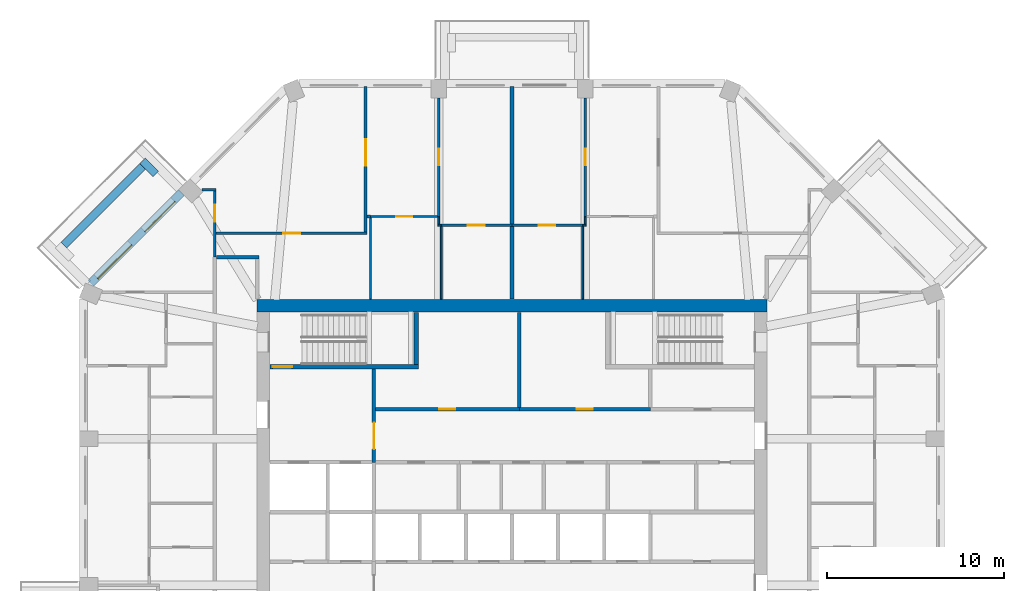
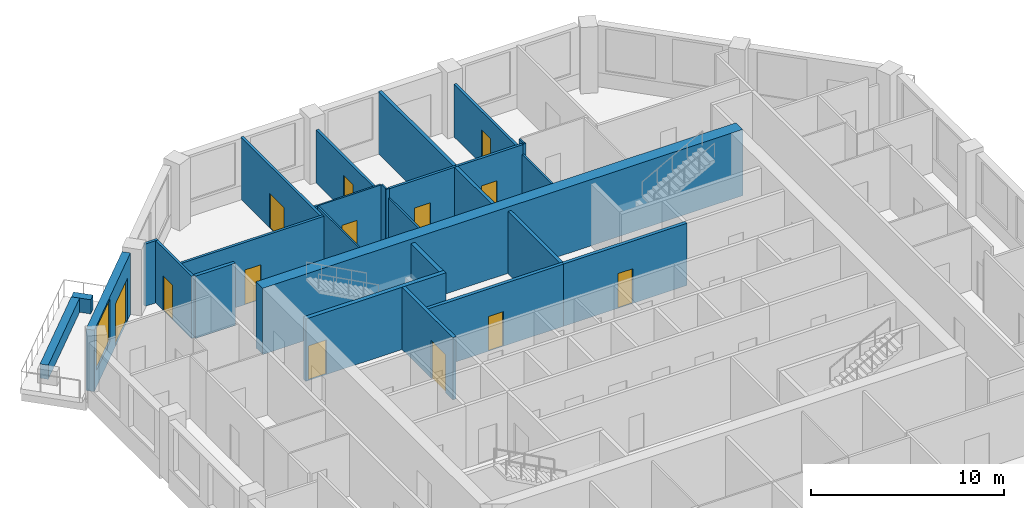
# One storey, part 7 of 10: 29 walls, 13 doors, 1 window, 14 openings.
"""IFC4 building model written with IfcOpenShell, lengths in metres."""

from ifc_helpers import new_model, si_unit, direction, frame, frame_2d, origin, place, context, subcontext, project, spatial, rectangle, extrude, material, layer, layer_set, type_object, element, fill, save


model = new_model("IFC4")

# Units and contexts
model_context = context("Model", 3, precision=1e-05, world=origin(), true_north=direction((0.0, 1.0)))
body_context = subcontext(model_context, "Body", "Model", "MODEL_VIEW")
ifc_project = project(units=[si_unit("LENGTHUNIT", "METRE"), si_unit("AREAUNIT", "SQUARE_METRE"), si_unit("VOLUMEUNIT", "CUBIC_METRE"), si_unit("PLANEANGLEUNIT", "RADIAN"), si_unit("MASSUNIT", "GRAM", prefix="KILO")], contexts=[model_context])

# Site, building, storey
site_placement = place(None, origin())
site = spatial("IfcSite", under=ifc_project, at=site_placement, CompositionType="ELEMENT")
building_placement = place(site_placement, origin())
building = spatial("IfcBuilding", under=site, at=building_placement, Name="Msitu Wima Residences", CompositionType="ELEMENT")
storey_placement = place(building_placement, frame((0.0, 0.0, 195.89990234375)))
storey = spatial("IfcBuildingStorey", under=building, at=storey_placement, Name="L45", CompositionType="ELEMENT", Elevation=195.89990234375)

# Walls
ifc_material_1 = material(Name="Facing brick")
ifc_layer_1 = layer(ifc_material_1, 0.06494140625, Name="Facing brick")
ifc_material_2 = material(Name="Concrete C40/50", Category="concrete")
ifc_layer_2 = layer(ifc_material_2, 0.156005859375, Name="Concrete C40/50")
ifc_material_3 = material(Name="Waterproofing membrane")
ifc_layer_3 = layer(ifc_material_3, 0.00390625, Name="Waterproofing membrane")
ifc_material_4 = material(Name="Planting soil and planting")
ifc_layer_4 = layer(ifc_material_4, 0.22509765625, Name="Planting soil and planting")
ifc_layer_set_1 = layer_set([ifc_layer_1, ifc_layer_2, ifc_layer_3, ifc_layer_4], Name="Concrete C40/50")
wall_type_1 = type_object("IfcWallType", Name="Balcony planter PLANTER PL450", PredefinedType="USERDEFINED", material=ifc_layer_set_1)
wall_1_placement = place(storey_placement, frame((-20.875244140625, 19.53173828125, 0.0), z_axis=(0.0, 0.0, 1.0), x_axis=(-0.707106781187, -0.707106781187, 0.0)))
element("IfcWall", 1, at=wall_1_placement, inside=storey, type_object=wall_type_1, Name="Balcony planter NW1 L45", ObjectType="PLANTER", PredefinedType="USERDEFINED", context=body_context, shape_type="SweptSolid", body=[
    extrude(rectangle(XDim=6.294189453125, YDim=0.449951171875, at=frame_2d((3.14697265625, 0.0))), origin(), (0.0, 0.0, 1.0), 0.900146484375),
])
wall_2_placement = place(storey_placement, frame((-20.1328125, 19.107421875, 0.0), z_axis=(0.0, 0.0, 1.0), x_axis=(-0.707106781187, 0.707106781187, 0.0)))
element("IfcWall", 2, at=wall_2_placement, inside=storey, type_object=wall_type_1, Name="Balcony planter NW1 L45", ObjectType="PLANTER", PredefinedType="USERDEFINED", context=body_context, shape_type="SweptSolid", body=[
    extrude(rectangle(XDim=1.050048828125, YDim=0.449951171875, at=frame_2d((0.52490234375, 0.0))), origin(), (0.0, 0.0, 1.0), 0.900146484375),
])

# Wall, openings, door, window
ifc_material_5 = material(Name="Brick (red buff mix)", Category="masonry")
ifc_layer_5 = layer(ifc_material_5, 0.449951171875)
ifc_layer_set_2 = layer_set([ifc_layer_5], Name="Brick (red buff mix)")
wall_type_2 = type_object("IfcWallType", Name="Brick infill wall BW450", PredefinedType="SOLIDWALL", material=ifc_layer_set_2)
wall_3_placement = place(storey_placement, frame((-18.68310546875, 18.046875, 0.0), z_axis=(0.0, 0.0, 1.0), x_axis=(-0.707106781187, -0.707106781187, 0.0)))
wall_3 = element("IfcWall", 3, at=wall_3_placement, inside=storey, type_object=wall_type_2, Name="Brick infill wall L45 NW1", PredefinedType="SOLIDWALL", context=body_context, shape_type="SweptSolid", body=[
    extrude(rectangle(XDim=7.257080078125, YDim=0.449951171875, at=frame_2d((3.62841796875, 0.0))), origin(), (0.0, 0.0, 1.0), 3.900146484375),
])
opening_1_placement = place(wall_3_placement, frame((0.6142578125, 0.0, 0.0)))
opening_1 = element("IfcOpeningElement", 4, at=opening_1_placement, cuts=wall_3, Name="Opening D43-45.004", PredefinedType="OPENING", context=body_context, shape_type="SweptSolid", body=[
    extrude(rectangle(XDim=2.39990234375, YDim=2.699951171875, at=frame_2d((1.199951171875, 1.35009765625))), frame((0.0, 0.23486328125, 0.0), z_axis=(0.0, -1.0, 0.0), x_axis=(1.0, 0.0, 0.0)), (0.0, 0.0, 1.0), 0.469970703125),
])
opening_2_placement = place(wall_3_placement, frame((4.07861328125, 0.0, 1.050048828125)))
opening_2 = element("IfcOpeningElement", 5, at=opening_2_placement, cuts=wall_3, Name="Opening W43-45.016", PredefinedType="OPENING", context=body_context, shape_type="SweptSolid", body=[
    extrude(rectangle(XDim=2.699951171875, YDim=2.699951171875, at=frame_2d((1.35009765625, 1.35009765625))), frame((0.0, 0.23486328125, 0.0), z_axis=(0.0, -1.0, 0.0), x_axis=(1.0, 0.0, 0.0)), (0.0, 0.0, 1.0), 0.469970703125),
])
ifc_material_6 = material(Name="Anodised aluminium, bronze finish, clear low-emissivity double glazing", Category="aluminium")
door_type_1 = type_object("IfcDoorType", Name="Balcony door D2400x2700", OperationType="SLIDING_TO_LEFT", PredefinedType="DOOR", material=ifc_material_6)
door_1_placement = place(opening_1_placement, origin())
door_1 = element("IfcDoor", 6, at=door_1_placement, inside=storey, type_object=door_type_1, Name="Balcony door L45 NW1", OperationType="SINGLE_SWING_LEFT", OverallHeight=2.699951171875, OverallWidth=2.39990234375, PredefinedType="DOOR", context=body_context, shape_type="SweptSolid", body=[
    extrude(rectangle(XDim=2.39990234375, YDim=2.699951171875, at=frame_2d((1.199951171875, 1.35009765625))), frame((0.0, 0.1298828125, 0.0), z_axis=(0.0, -1.0, 0.0), x_axis=(1.0, 0.0, 0.0)), (0.0, 0.0, 1.0), 0.050048828125),
])
fill(opening_1, door_1)
window_type = type_object("IfcWindowType", Name="Window W2700x2700", PartitioningType="DOUBLE_PANEL_VERTICAL", PredefinedType="WINDOW", material=ifc_material_6)
window_placement = place(opening_2_placement, origin())
window = element("IfcWindow", 7, at=window_placement, inside=storey, type_object=window_type, Name="Window L45 NW1.2", OverallHeight=2.699951171875, OverallWidth=2.699951171875, PartitioningType="SINGLE_PANEL", PredefinedType="WINDOW", context=body_context, shape_type="SweptSolid", body=[
    extrude(rectangle(XDim=2.699951171875, YDim=2.699951171875, at=frame_2d((1.35009765625, 1.35009765625))), frame((0.0, 0.135009765625, 0.0), z_axis=(0.0, -1.0, 0.0), x_axis=(1.0, 0.0, 0.0)), (0.0, 0.0, 1.0), 0.06005859375),
])
fill(opening_2, window)

# Walls
ifc_material_7 = material(Name="Concrete C60/75", Category="concrete")
ifc_layer_6 = layer(ifc_material_7, 0.699951171875)
ifc_layer_set_3 = layer_set([ifc_layer_6], Name="Concrete C60/75")
wall_type_3 = type_object("IfcWallType", Name="Core wall CW700 C60/75", PredefinedType="SHEAR", material=ifc_layer_set_3)
wall_4_placement = place(storey_placement, frame((-14.39990234375, 11.64990234375, 0.0), z_axis=(0.0, 0.0, 1.0), x_axis=(1.0, 0.0, 0.0)))
element("IfcWall", 8, at=wall_4_placement, inside=storey, type_object=wall_type_3, Name="Core wall", PredefinedType="SHEAR", context=body_context, shape_type="SweptSolid", body=[
    extrude(rectangle(XDim=28.7998046875, YDim=0.699951171875, at=frame_2d((14.39990234375, 0.0))), origin(), (0.0, 0.0, 1.0), 4.2001953125),
])
ifc_material_8 = material(Name="Plaster")
ifc_layer_7 = layer(ifc_material_8, 0.011962890625, Name="Plaster")
ifc_material_9 = material(Name="Concrete blockwork", Category="masonry")
ifc_layer_8 = layer(ifc_material_9, 0.176025390625, Name="Concrete blockwork")
ifc_layer_9 = layer(ifc_material_8, 0.011962890625, Name="Plaster")
ifc_layer_set_4 = layer_set([ifc_layer_7, ifc_layer_8, ifc_layer_9], Name="Concrete blockwork")
wall_type_4 = type_object("IfcWallType", Name="Corridor wall FW200", PredefinedType="PARTITIONING", material=ifc_layer_set_4)
wall_5_placement = place(storey_placement, frame((-16.699951171875, 14.39990234375, 0.0), z_axis=(0.0, 0.0, 1.0), x_axis=(1.0, 0.0, 0.0)))
element("IfcWall", 9, at=wall_5_placement, inside=storey, type_object=wall_type_4, Name="Corridor wall", PredefinedType="PARTITIONING", context=body_context, shape_type="SweptSolid", body=[
    extrude(rectangle(XDim=2.39990234375, YDim=0.199951171875, at=frame_2d((1.199951171875, 0.0))), origin(), (0.0, 0.0, 1.0), 3.9501953125),
])

# Wall, opening, door
wall_6_placement = place(storey_placement, frame((-7.800048828125, 2.800048828125, 0.0), z_axis=(0.0, 0.0, 1.0), x_axis=(0.0, 1.0, 0.0)))
wall_6 = element("IfcWall", 10, at=wall_6_placement, inside=storey, type_object=wall_type_4, Name="Corridor wall", PredefinedType="PARTITIONING", context=body_context, shape_type="SweptSolid", body=[
    extrude(rectangle(XDim=5.27490234375, YDim=0.199951171875, at=frame_2d((2.637451171875, 0.0))), origin(), (0.0, 0.0, 1.0), 3.9501953125),
])
opening_3_placement = place(wall_6_placement, frame((0.75, 0.0, 0.0)))
opening_3 = element("IfcOpeningElement", 11, at=opening_3_placement, cuts=wall_6, Name="Opening D43-45.052", PredefinedType="OPENING", context=body_context, shape_type="SweptSolid", body=[
    extrude(rectangle(XDim=1.5, YDim=2.39990234375, at=frame_2d((0.75, 1.199951171875))), frame((0.0, 0.10986328125, 0.0), z_axis=(0.0, -1.0, 0.0), x_axis=(1.0, 0.0, 0.0)), (0.0, 0.0, 1.0), 0.219970703125),
])
ifc_material_10 = material(Name="Steel framed glazed door, fire resisting", Category="steel")
door_type_2 = type_object("IfcDoorType", Name="Lobby door D07 1500x2400", OperationType="DOUBLE_DOOR_SINGLE_SWING", PredefinedType="DOOR", material=ifc_material_10)
door_2_placement = place(opening_3_placement, origin())
door_2 = element("IfcDoor", 12, at=door_2_placement, inside=storey, type_object=door_type_2, Name="Lobby door", OperationType="DOUBLE_DOOR_SINGLE_SWING", OverallHeight=2.39990234375, OverallWidth=1.5, PredefinedType="DOOR", context=body_context, shape_type="SweptSolid", body=[
    extrude(rectangle(XDim=1.5, YDim=2.39990234375, at=frame_2d((0.75, 1.199951171875))), frame((0.0, 0.02490234375, 0.0), z_axis=(0.0, -1.0, 0.0), x_axis=(1.0, 0.0, 0.0)), (0.0, 0.0, 1.0), 0.050048828125),
])
fill(opening_3, door_2)

wall_7_placement = place(storey_placement, frame((-7.699951171875, 5.800048828125, 0.0), z_axis=(0.0, 0.0, 1.0), x_axis=(1.0, 0.0, 0.0)))
wall_7 = element("IfcWall", 13, at=wall_7_placement, inside=storey, type_object=wall_type_4, Name="Corridor wall", PredefinedType="PARTITIONING", context=body_context, shape_type="SweptSolid", body=[
    extrude(rectangle(XDim=8.119873046875, YDim=0.199951171875, at=frame_2d((4.06005859375, 0.0))), origin(), (0.0, 0.0, 1.0), 3.9501953125),
])
opening_4_placement = place(wall_7_placement, frame((3.60009765625, 0.0, 0.0)))
opening_4 = element("IfcOpeningElement", 14, at=opening_4_placement, cuts=wall_7, Name="Opening D43-45.055", PredefinedType="OPENING", context=body_context, shape_type="SweptSolid", body=[
    extrude(rectangle(XDim=0.89990234375, YDim=2.199951171875, at=frame_2d((0.449951171875, 1.10009765625))), frame((0.0, 0.10986328125, 0.0), z_axis=(0.0, -1.0, 0.0), x_axis=(1.0, 0.0, 0.0)), (0.0, 0.0, 1.0), 0.219970703125),
])
ifc_material_11 = material(Name="Timber flush door", Category="wood")
door_type_3 = type_object("IfcDoorType", Name="Service door D05 900x2200", OperationType="SINGLE_SWING_LEFT", PredefinedType="DOOR", material=ifc_material_11)
door_3_placement = place(opening_4_placement, origin())
door_3 = element("IfcDoor", 15, at=door_3_placement, inside=storey, type_object=door_type_3, Name="Service door", OperationType="SINGLE_SWING_LEFT", OverallHeight=2.199951171875, OverallWidth=0.89990234375, PredefinedType="DOOR", context=body_context, shape_type="SweptSolid", body=[
    extrude(rectangle(XDim=0.89990234375, YDim=2.199951171875, at=frame_2d((0.449951171875, 1.10009765625))), frame((0.0, 0.02490234375, 0.0), z_axis=(0.0, -1.0, 0.0), x_axis=(1.0, 0.0, 0.0)), (0.0, 0.0, 1.0), 0.050048828125),
])
fill(opening_4, door_3)

# Wall
ifc_layer_10 = layer(ifc_material_8, 0.011962890625, Name="Plaster")
ifc_layer_11 = layer(ifc_material_9, 0.1259765625, Name="Concrete blockwork")
ifc_layer_12 = layer(ifc_material_8, 0.011962890625, Name="Plaster")
ifc_layer_set_5 = layer_set([ifc_layer_10, ifc_layer_11, ifc_layer_12], Name="Concrete blockwork")
wall_type_5 = type_object("IfcWallType", Name="Partition PW150", PredefinedType="PARTITIONING", material=ifc_layer_set_5)
wall_8_placement = place(storey_placement, frame((-17.509521484375, 18.205810546875, 0.0), z_axis=(0.0, 0.0, 1.0), x_axis=(1.0, 0.0, 0.0)))
element("IfcWall", 16, at=wall_8_placement, inside=storey, type_object=wall_type_5, Name="Partition", PredefinedType="PARTITIONING", context=body_context, shape_type="SweptSolid", body=[
    extrude(rectangle(XDim=0.784423828125, YDim=0.14990234375, at=frame_2d((0.39208984375, 0.0))), origin(), (0.0, 0.0, 1.0), 3.9501953125),
])

# Wall, opening, door
wall_9_placement = place(storey_placement, frame((-16.800048828125, 14.39990234375, 0.0), z_axis=(0.0, 0.0, 1.0), x_axis=(0.0, 1.0, 0.0)))
wall_9 = element("IfcWall", 17, at=wall_9_placement, inside=storey, type_object=wall_type_5, Name="Partition", PredefinedType="PARTITIONING", context=body_context, shape_type="SweptSolid", body=[
    extrude(rectangle(XDim=3.73095703125, YDim=0.14990234375, at=frame_2d((1.865478515625, 0.0))), origin(), (0.0, 0.0, 1.0), 3.9501953125),
])
opening_5_placement = place(wall_9_placement, frame((2.0, 0.0, 0.0)))
opening_5 = element("IfcOpeningElement", 18, at=opening_5_placement, cuts=wall_9, Name="Opening D43-45.049", PredefinedType="OPENING", context=body_context, shape_type="SweptSolid", body=[
    extrude(rectangle(XDim=0.949951171875, YDim=2.199951171875, at=frame_2d((0.47509765625, 1.10009765625))), frame((0.0, 0.0849609375, 0.0), z_axis=(0.0, -1.0, 0.0), x_axis=(1.0, 0.0, 0.0)), (0.0, 0.0, 1.0), 0.169921875),
])
door_type_4 = type_object("IfcDoorType", Name="Room door D12 950x2200", OperationType="SINGLE_SWING_LEFT", PredefinedType="DOOR", material=ifc_material_11)
door_4_placement = place(opening_5_placement, origin())
door_4 = element("IfcDoor", 19, at=door_4_placement, inside=storey, type_object=door_type_4, Name="Room door", OperationType="SINGLE_SWING_RIGHT", OverallHeight=2.199951171875, OverallWidth=0.949951171875, PredefinedType="DOOR", context=body_context, shape_type="SweptSolid", body=[
    extrude(rectangle(XDim=0.949951171875, YDim=2.199951171875, at=frame_2d((0.47509765625, 1.10009765625))), frame((0.0, 0.02490234375, 0.0), z_axis=(0.0, -1.0, 0.0), x_axis=(1.0, 0.0, 0.0)), (0.0, 0.0, 1.0), 0.050048828125),
])
fill(opening_5, door_4)

wall_10_placement = place(storey_placement, frame((-16.72509765625, 15.75, 0.0), z_axis=(0.0, 0.0, 1.0), x_axis=(1.0, 0.0, 0.0)))
wall_10 = element("IfcWall", 20, at=wall_10_placement, inside=storey, type_object=wall_type_5, Name="Partition", PredefinedType="PARTITIONING", context=body_context, shape_type="SweptSolid", body=[
    extrude(rectangle(XDim=8.525634765625, YDim=0.14990234375, at=frame_2d((4.2626953125, 0.0))), origin(), (0.0, 0.0, 1.0), 3.9501953125),
])
opening_6_placement = place(wall_10_placement, frame((3.800048828125, 0.0, 0.0)))
opening_6 = element("IfcOpeningElement", 21, at=opening_6_placement, cuts=wall_10, Name="Opening D43-45.035", PredefinedType="OPENING", context=body_context, shape_type="SweptSolid", body=[
    extrude(rectangle(XDim=0.949951171875, YDim=2.199951171875, at=frame_2d((0.47509765625, 1.10009765625))), frame((0.0, 0.0849609375, 0.0), z_axis=(0.0, -1.0, 0.0), x_axis=(1.0, 0.0, 0.0)), (0.0, 0.0, 1.0), 0.169921875),
])
door_5_placement = place(opening_6_placement, origin())
door_5 = element("IfcDoor", 22, at=door_5_placement, inside=storey, type_object=door_type_4, Name="Room door", OperationType="SINGLE_SWING_RIGHT", OverallHeight=2.199951171875, OverallWidth=0.949951171875, PredefinedType="DOOR", context=body_context, shape_type="SweptSolid", body=[
    extrude(rectangle(XDim=0.949951171875, YDim=2.199951171875, at=frame_2d((0.47509765625, 1.10009765625))), frame((0.0, 0.02490234375, 0.0), z_axis=(0.0, -1.0, 0.0), x_axis=(1.0, 0.0, 0.0)), (0.0, 0.0, 1.0), 0.050048828125),
])
fill(opening_6, door_5)

wall_11_placement = place(storey_placement, frame((-8.2744140625, 15.824951171875, 0.0), z_axis=(0.0, 0.0, 1.0), x_axis=(0.0, 1.0, 0.0)))
wall_11 = element("IfcWall", 23, at=wall_11_placement, inside=storey, type_object=wall_type_5, Name="Partition", PredefinedType="PARTITIONING", context=body_context, shape_type="SweptSolid", body=[
    extrude(rectangle(XDim=8.22998046875, YDim=0.14990234375, at=frame_2d((4.114990234375, 0.0))), origin(), (0.0, 0.0, 1.0), 3.9501953125),
])
opening_7_placement = place(wall_11_placement, frame((3.75, 0.0, 0.0)))
opening_7 = element("IfcOpeningElement", 24, at=opening_7_placement, cuts=wall_11, Name="Opening D43-45.036", PredefinedType="OPENING", context=body_context, shape_type="SweptSolid", body=[
    extrude(rectangle(XDim=1.5, YDim=2.199951171875, at=frame_2d((0.75, 1.10009765625))), frame((0.0, 0.0849609375, 0.0), z_axis=(0.0, -1.0, 0.0), x_axis=(1.0, 0.0, 0.0)), (0.0, 0.0, 1.0), 0.169921875),
])
ifc_material_12 = material(Name="Timber double door", Category="wood")
door_type_5 = type_object("IfcDoorType", Name="Double door D04 1500x2200", OperationType="DOUBLE_DOOR_SINGLE_SWING", PredefinedType="DOOR", material=ifc_material_12)
door_6_placement = place(opening_7_placement, origin())
door_6 = element("IfcDoor", 25, at=door_6_placement, inside=storey, type_object=door_type_5, Name="Double door", OperationType="DOUBLE_DOOR_SINGLE_SWING", OverallHeight=2.199951171875, OverallWidth=1.5, PredefinedType="DOOR", context=body_context, shape_type="SweptSolid", body=[
    extrude(rectangle(XDim=1.5, YDim=2.199951171875, at=frame_2d((0.75, 1.10009765625))), frame((0.0, 0.02490234375, 0.0), z_axis=(0.0, -1.0, 0.0), x_axis=(1.0, 0.0, 0.0)), (0.0, 0.0, 1.0), 0.050048828125),
])
fill(opening_7, door_6)

# Wall
wall_12_placement = place(storey_placement, frame((-8.199462890625, 16.699951171875, 0.0), z_axis=(0.0, 0.0, 1.0), x_axis=(1.0, 0.0, 0.0)))
element("IfcWall", 26, at=wall_12_placement, inside=storey, type_object=wall_type_5, Name="Partition", PredefinedType="PARTITIONING", context=body_context, shape_type="SweptSolid", body=[
    extrude(rectangle(XDim=0.199462890625, YDim=0.14990234375, at=frame_2d((0.099609375, 0.0))), origin(), (0.0, 0.0, 1.0), 3.9501953125),
])

# Wall, opening, door
wall_13_placement = place(storey_placement, frame((-4.13720703125, 16.679931640625, 0.0), z_axis=(0.0, 0.0, 1.0), x_axis=(0.0, 1.0, 0.0)))
wall_13 = element("IfcWall", 27, at=wall_13_placement, inside=storey, type_object=wall_type_5, Name="Partition", PredefinedType="PARTITIONING", context=body_context, shape_type="SweptSolid", body=[
    extrude(rectangle(XDim=6.719970703125, YDim=0.14990234375, at=frame_2d((3.35986328125, 0.0))), origin(), (0.0, 0.0, 1.0), 3.35009765625),
])
opening_8_placement = place(wall_13_placement, frame((2.89990234375, 0.0, 0.0)))
opening_8 = element("IfcOpeningElement", 28, at=opening_8_placement, cuts=wall_13, Name="Opening D43-45.040", PredefinedType="OPENING", context=body_context, shape_type="SweptSolid", body=[
    extrude(rectangle(XDim=0.949951171875, YDim=2.199951171875, at=frame_2d((0.47509765625, 1.10009765625))), frame((0.0, 0.0849609375, 0.0), z_axis=(0.0, -1.0, 0.0), x_axis=(1.0, 0.0, 0.0)), (0.0, 0.0, 1.0), 0.169921875),
])
door_7_placement = place(opening_8_placement, origin())
door_7 = element("IfcDoor", 29, at=door_7_placement, inside=storey, type_object=door_type_4, Name="Room door", OperationType="SINGLE_SWING_LEFT", OverallHeight=2.199951171875, OverallWidth=0.949951171875, PredefinedType="DOOR", context=body_context, shape_type="SweptSolid", body=[
    extrude(rectangle(XDim=0.949951171875, YDim=2.199951171875, at=frame_2d((0.47509765625, 1.10009765625))), frame((0.0, 0.02490234375, 0.0), z_axis=(0.0, -1.0, 0.0), x_axis=(1.0, 0.0, 0.0)), (0.0, 0.0, 1.0), 0.050048828125),
])
fill(opening_8, door_7)

wall_14_placement = place(storey_placement, frame((-4.0, 16.199951171875, 0.0), z_axis=(0.0, 0.0, 1.0), x_axis=(1.0, 0.0, 0.0)))
wall_14 = element("IfcWall", 30, at=wall_14_placement, inside=storey, type_object=wall_type_5, Name="Partition", PredefinedType="PARTITIONING", context=body_context, shape_type="SweptSolid", body=[
    extrude(rectangle(XDim=4.0, YDim=0.14990234375, at=frame_2d((2.0, 0.0))), origin(), (0.0, 0.0, 1.0), 3.9501953125),
])
opening_9_placement = place(wall_14_placement, frame((1.5, 0.0, 0.0)))
opening_9 = element("IfcOpeningElement", 31, at=opening_9_placement, cuts=wall_14, Name="Opening D43-45.042", PredefinedType="OPENING", context=body_context, shape_type="SweptSolid", body=[
    extrude(rectangle(XDim=0.949951171875, YDim=2.199951171875, at=frame_2d((0.47509765625, 1.10009765625))), frame((0.0, 0.0849609375, 0.0), z_axis=(0.0, -1.0, 0.0), x_axis=(1.0, 0.0, 0.0)), (0.0, 0.0, 1.0), 0.169921875),
])
door_8_placement = place(opening_9_placement, origin())
door_8 = element("IfcDoor", 32, at=door_8_placement, inside=storey, type_object=door_type_4, Name="Room door", OperationType="SINGLE_SWING_RIGHT", OverallHeight=2.199951171875, OverallWidth=0.949951171875, PredefinedType="DOOR", context=body_context, shape_type="SweptSolid", body=[
    extrude(rectangle(XDim=0.949951171875, YDim=2.199951171875, at=frame_2d((0.47509765625, 1.10009765625))), frame((0.0, 0.02490234375, 0.0), z_axis=(0.0, -1.0, 0.0), x_axis=(1.0, 0.0, 0.0)), (0.0, 0.0, 1.0), 0.050048828125),
])
fill(opening_9, door_8)

wall_15_placement = place(storey_placement, frame((0.0, 16.199951171875, 0.0), z_axis=(0.0, 0.0, 1.0), x_axis=(1.0, 0.0, 0.0)))
wall_15 = element("IfcWall", 33, at=wall_15_placement, inside=storey, type_object=wall_type_5, Name="Partition", PredefinedType="PARTITIONING", context=body_context, shape_type="SweptSolid", body=[
    extrude(rectangle(XDim=4.0, YDim=0.14990234375, at=frame_2d((2.0, 0.0))), origin(), (0.0, 0.0, 1.0), 3.9501953125),
])
opening_10_placement = place(wall_15_placement, frame((1.5, 0.0, 0.0)))
opening_10 = element("IfcOpeningElement", 34, at=opening_10_placement, cuts=wall_15, Name="Opening D43-45.021", PredefinedType="OPENING", context=body_context, shape_type="SweptSolid", body=[
    extrude(rectangle(XDim=0.949951171875, YDim=2.199951171875, at=frame_2d((0.47509765625, 1.10009765625))), frame((0.0, 0.0849609375, 0.0), z_axis=(0.0, -1.0, 0.0), x_axis=(1.0, 0.0, 0.0)), (0.0, 0.0, 1.0), 0.169921875),
])
door_9_placement = place(opening_10_placement, origin())
door_9 = element("IfcDoor", 35, at=door_9_placement, inside=storey, type_object=door_type_4, Name="Room door", OperationType="SINGLE_SWING_LEFT", OverallHeight=2.199951171875, OverallWidth=0.949951171875, PredefinedType="DOOR", context=body_context, shape_type="SweptSolid", body=[
    extrude(rectangle(XDim=0.949951171875, YDim=2.199951171875, at=frame_2d((0.47509765625, 1.10009765625))), frame((0.0, 0.02490234375, 0.0), z_axis=(0.0, -1.0, 0.0), x_axis=(1.0, 0.0, 0.0)), (0.0, 0.0, 1.0), 0.050048828125),
])
fill(opening_10, door_9)

wall_16_placement = place(storey_placement, frame((4.13720703125, 16.679931640625, 0.0), z_axis=(0.0, 0.0, 1.0), x_axis=(0.0, 1.0, 0.0)))
wall_16 = element("IfcWall", 36, at=wall_16_placement, inside=storey, type_object=wall_type_5, Name="Partition", PredefinedType="PARTITIONING", context=body_context, shape_type="SweptSolid", body=[
    extrude(rectangle(XDim=6.719970703125, YDim=0.14990234375, at=frame_2d((3.35986328125, 0.0))), origin(), (0.0, 0.0, 1.0), 3.35009765625),
])
opening_11_placement = place(wall_16_placement, frame((2.89990234375, 0.0, 0.0)))
opening_11 = element("IfcOpeningElement", 37, at=opening_11_placement, cuts=wall_16, Name="Opening D43-45.019", PredefinedType="OPENING", context=body_context, shape_type="SweptSolid", body=[
    extrude(rectangle(XDim=0.949951171875, YDim=2.199951171875, at=frame_2d((0.47509765625, 1.10009765625))), frame((0.0, 0.0849609375, 0.0), z_axis=(0.0, -1.0, 0.0), x_axis=(1.0, 0.0, 0.0)), (0.0, 0.0, 1.0), 0.169921875),
])
door_10_placement = place(opening_11_placement, origin())
door_10 = element("IfcDoor", 38, at=door_10_placement, inside=storey, type_object=door_type_4, Name="Room door", OperationType="SINGLE_SWING_RIGHT", OverallHeight=2.199951171875, OverallWidth=0.949951171875, PredefinedType="DOOR", context=body_context, shape_type="SweptSolid", body=[
    extrude(rectangle(XDim=0.949951171875, YDim=2.199951171875, at=frame_2d((0.47509765625, 1.10009765625))), frame((0.0, 0.02490234375, 0.0), z_axis=(0.0, -1.0, 0.0), x_axis=(1.0, 0.0, 0.0)), (0.0, 0.0, 1.0), 0.050048828125),
])
fill(opening_11, door_10)

# Wall
ifc_layer_13 = layer(ifc_material_8, 0.011962890625, Name="Plaster")
ifc_material_13 = material(Name="Dense concrete blockwork", Category="masonry")
ifc_layer_14 = layer(ifc_material_13, 0.176025390625, Name="Dense concrete blockwork")
ifc_layer_15 = layer(ifc_material_8, 0.011962890625, Name="Plaster")
ifc_layer_set_6 = layer_set([ifc_layer_13, ifc_layer_14, ifc_layer_15], Name="Dense concrete blockwork")
wall_type_6 = type_object("IfcWallType", Name="Party wall PW200", PredefinedType="PARTITIONING", material=ifc_layer_set_6)
wall_17_placement = place(storey_placement, frame((0.0, 12.030029296875, 0.0), z_axis=(0.0, 0.0, 1.0), x_axis=(0.0, 1.0, 0.0)))
element("IfcWall", 39, at=wall_17_placement, inside=storey, type_object=wall_type_6, Name="Party wall", PredefinedType="PARTITIONING", context=body_context, shape_type="SweptSolid", body=[
    extrude(rectangle(XDim=12.02490234375, YDim=0.199951171875, at=frame_2d((6.012451171875, 0.0))), origin(), (0.0, 0.0, 1.0), 3.9501953125),
])

# Wall, opening, door
ifc_layer_16 = layer(ifc_material_8, 0.011962890625, Name="Plaster")
ifc_material_14 = material(Name="Reinforced concrete blockwork", Category="masonry")
ifc_layer_17 = layer(ifc_material_14, 0.176025390625, Name="Reinforced concrete blockwork")
ifc_layer_18 = layer(ifc_material_8, 0.011962890625, Name="Plaster")
ifc_layer_set_7 = layer_set([ifc_layer_16, ifc_layer_17, ifc_layer_18], Name="Reinforced concrete blockwork")
wall_type_7 = type_object("IfcWallType", Name="Plant and riser wall PL200", PredefinedType="PARTITIONING", material=ifc_layer_set_7)
wall_18_placement = place(storey_placement, frame((0.419921875, 5.800048828125, 0.0), z_axis=(0.0, 0.0, 1.0), x_axis=(1.0, 0.0, 0.0)))
wall_18 = element("IfcWall", 40, at=wall_18_placement, inside=storey, type_object=wall_type_7, Name="Plant and riser wall", PredefinedType="PARTITIONING", context=body_context, shape_type="SweptSolid", body=[
    extrude(rectangle(XDim=7.400146484375, YDim=0.199951171875, at=frame_2d((3.7001953125, 0.0))), origin(), (0.0, 0.0, 1.0), 3.9501953125),
])
opening_12_placement = place(wall_18_placement, frame((3.25, 0.0, 0.0)))
opening_12 = element("IfcOpeningElement", 41, at=opening_12_placement, cuts=wall_18, Name="Opening D43-45.056", PredefinedType="OPENING", context=body_context, shape_type="SweptSolid", body=[
    extrude(rectangle(XDim=0.89990234375, YDim=2.199951171875, at=frame_2d((0.449951171875, 1.10009765625))), frame((0.0, 0.10986328125, 0.0), z_axis=(0.0, -1.0, 0.0), x_axis=(1.0, 0.0, 0.0)), (0.0, 0.0, 1.0), 0.219970703125),
])
door_11_placement = place(opening_12_placement, origin())
door_11 = element("IfcDoor", 42, at=door_11_placement, inside=storey, type_object=door_type_3, Name="Service door", OperationType="SINGLE_SWING_RIGHT", OverallHeight=2.199951171875, OverallWidth=0.89990234375, PredefinedType="DOOR", context=body_context, shape_type="SweptSolid", body=[
    extrude(rectangle(XDim=0.89990234375, YDim=2.199951171875, at=frame_2d((0.449951171875, 1.10009765625))), frame((0.0, 0.02490234375, 0.0), z_axis=(0.0, -1.0, 0.0), x_axis=(1.0, 0.0, 0.0)), (0.0, 0.0, 1.0), 0.050048828125),
])
fill(opening_12, door_11)

# Wall
wall_19_placement = place(storey_placement, frame((0.39990234375, 5.89990234375, 0.0), z_axis=(0.0, 0.0, 1.0), x_axis=(0.0, 1.0, 0.0)))
element("IfcWall", 43, at=wall_19_placement, inside=storey, type_object=wall_type_7, Name="Plant and riser wall", PredefinedType="PARTITIONING", context=body_context, shape_type="SweptSolid", body=[
    extrude(rectangle(XDim=5.3701171875, YDim=0.199951171875, at=frame_2d((2.68505859375, 0.0))), origin(), (0.0, 0.0, 1.0), 3.9501953125),
])

# Wall, opening, door
ifc_material_15 = material(Name="Concrete C50/60", Category="concrete")
ifc_layer_19 = layer(ifc_material_15, 0.25)
ifc_layer_set_8 = layer_set([ifc_layer_19], Name="Concrete C50/60")
wall_type_8 = type_object("IfcWallType", Name="Stair enclosure wall SW250", PredefinedType="SHEAR", material=ifc_layer_set_8)
wall_20_placement = place(storey_placement, frame((-13.669921875, 8.199951171875, 0.0), z_axis=(0.0, 0.0, 1.0), x_axis=(1.0, 0.0, 0.0)))
wall_20 = element("IfcWall", 44, at=wall_20_placement, inside=storey, type_object=wall_type_8, Name="Stair enclosure wall", PredefinedType="SHEAR", context=body_context, shape_type="SweptSolid", body=[
    extrude(rectangle(XDim=8.39501953125, YDim=0.25, at=frame_2d((4.197509765625, 0.0))), origin(), (0.0, 0.0, 1.0), 3.9501953125),
])
opening_13_placement = place(wall_20_placement, frame((0.14990234375, 0.0, 0.0)))
opening_13 = element("IfcOpeningElement", 45, at=opening_13_placement, cuts=wall_20, Name="Opening D43-45.070", PredefinedType="OPENING", context=body_context, shape_type="SweptSolid", body=[
    extrude(rectangle(XDim=1.10009765625, YDim=2.199951171875, at=frame_2d((0.550048828125, 1.10009765625))), frame((0.0, 0.135009765625, 0.0), z_axis=(0.0, -1.0, 0.0), x_axis=(1.0, 0.0, 0.0)), (0.0, 0.0, 1.0), 0.27001953125),
])
ifc_material_16 = material(Name="Steel door, fire resisting, panic bar", Category="steel")
door_type_6 = type_object("IfcDoorType", Name="Stair door D06 1100x2200", OperationType="SINGLE_SWING_LEFT", PredefinedType="DOOR", material=ifc_material_16)
door_12_placement = place(opening_13_placement, origin())
door_12 = element("IfcDoor", 46, at=door_12_placement, inside=storey, type_object=door_type_6, Name="Stair door", OperationType="SINGLE_SWING_LEFT", OverallHeight=2.199951171875, OverallWidth=1.10009765625, PredefinedType="DOOR", context=body_context, shape_type="SweptSolid", body=[
    extrude(rectangle(XDim=1.10009765625, YDim=2.199951171875, at=frame_2d((0.550048828125, 1.10009765625))), frame((0.0, 0.02490234375, 0.0), z_axis=(0.0, -1.0, 0.0), x_axis=(1.0, 0.0, 0.0)), (0.0, 0.0, 1.0), 0.050048828125),
])
fill(opening_13, door_12)

# Walls
wall_21_placement = place(storey_placement, frame((-5.39990234375, 8.324951171875, 0.0), z_axis=(0.0, 0.0, 1.0), x_axis=(0.0, 1.0, 0.0)))
element("IfcWall", 47, at=wall_21_placement, inside=storey, type_object=wall_type_8, Name="Stair enclosure wall", PredefinedType="SHEAR", context=body_context, shape_type="SweptSolid", body=[
    extrude(rectangle(XDim=2.945068359375, YDim=0.25, at=frame_2d((1.47265625, 0.0))), origin(), (0.0, 0.0, 1.0), 3.9501953125),
])
ifc_material_17 = material(Name="Ceramic tiles")
ifc_layer_20 = layer(ifc_material_17, 0.008056640625, Name="Ceramic tiles")
ifc_material_18 = material(Name="Moisture-resistant board")
ifc_layer_21 = layer(ifc_material_18, 0.012451171875, Name="Moisture-resistant board")
ifc_material_19 = material(Name="Light-gauge stud framing with mineral wool")
ifc_layer_22 = layer(ifc_material_19, 0.06689453125, Name="Light-gauge stud framing with mineral wool")
ifc_layer_23 = layer(ifc_material_18, 0.012451171875, Name="Moisture-resistant board")
ifc_layer_set_9 = layer_set([ifc_layer_20, ifc_layer_21, ifc_layer_22, ifc_layer_23], Name="Light-gauge stud framing with mineral wool")
wall_type_9 = type_object("IfcWallType", Name="Wet wall PW100", PredefinedType="PARTITIONING", material=ifc_layer_set_9)
wall_22_placement = place(storey_placement, frame((-8.0, 12.030029296875, 0.0), z_axis=(0.0, 0.0, 1.0), x_axis=(0.0, 1.0, 0.0)))
element("IfcWall", 48, at=wall_22_placement, inside=storey, type_object=wall_type_9, Name="Wet wall", PredefinedType="PARTITIONING", context=body_context, shape_type="SweptSolid", body=[
    extrude(rectangle(XDim=4.594970703125, YDim=0.10009765625, at=frame_2d((2.29736328125, 0.0))), origin(), (0.0, 0.0, 1.0), 3.9501953125),
])

# Wall, opening, door
wall_23_placement = place(storey_placement, frame((-8.0, 16.699951171875, 0.0), z_axis=(0.0, 0.0, 1.0), x_axis=(1.0, 0.0, 0.0)))
wall_23 = element("IfcWall", 49, at=wall_23_placement, inside=storey, type_object=wall_type_9, Name="Wet wall", PredefinedType="PARTITIONING", context=body_context, shape_type="SweptSolid", body=[
    extrude(rectangle(XDim=3.787841796875, YDim=0.10009765625, at=frame_2d((1.89404296875, 0.0))), origin(), (0.0, 0.0, 1.0), 3.9501953125),
])
opening_14_placement = place(wall_23_placement, frame((1.449951171875, 0.0, 0.0)))
opening_14 = element("IfcOpeningElement", 50, at=opening_14_placement, cuts=wall_23, Name="Opening D43-45.039", PredefinedType="OPENING", context=body_context, shape_type="SweptSolid", body=[
    extrude(rectangle(XDim=0.89990234375, YDim=2.199951171875, at=frame_2d((0.449951171875, 1.10009765625))), frame((0.0, 0.06005859375, 0.0), z_axis=(0.0, -1.0, 0.0), x_axis=(1.0, 0.0, 0.0)), (0.0, 0.0, 1.0), 0.1201171875),
])
ifc_material_20 = material(Name="Timber flush door, moisture resistant", Category="wood")
door_type_7 = type_object("IfcDoorType", Name="Bathroom door D03 900x2200", OperationType="SINGLE_SWING_LEFT", PredefinedType="DOOR", material=ifc_material_20)
door_13_placement = place(opening_14_placement, origin())
door_13 = element("IfcDoor", 51, at=door_13_placement, inside=storey, type_object=door_type_7, Name="Bathroom door", OperationType="SINGLE_SWING_RIGHT", OverallHeight=2.199951171875, OverallWidth=0.89990234375, PredefinedType="DOOR", context=body_context, shape_type="SweptSolid", body=[
    extrude(rectangle(XDim=0.89990234375, YDim=2.199951171875, at=frame_2d((0.449951171875, 1.10009765625))), frame((0.0, 0.02490234375, 0.0), z_axis=(0.0, -1.0, 0.0), x_axis=(1.0, 0.0, 0.0)), (0.0, 0.0, 1.0), 0.050048828125),
])
fill(opening_14, door_13)

# Walls
wall_24_placement = place(storey_placement, frame((-4.13720703125, 16.25, 0.0), z_axis=(0.0, 0.0, 1.0), x_axis=(0.0, 1.0, 0.0)))
element("IfcWall", 52, at=wall_24_placement, inside=storey, type_object=wall_type_9, Name="Wet wall", PredefinedType="PARTITIONING", context=body_context, shape_type="SweptSolid", body=[
    extrude(rectangle(XDim=0.429931640625, YDim=0.10009765625, at=frame_2d((0.21484375, 0.0))), origin(), (0.0, 0.0, 1.0), 3.9501953125),
])
wall_25_placement = place(storey_placement, frame((-4.187255859375, 16.199951171875, 0.0), z_axis=(0.0, 0.0, 1.0), x_axis=(1.0, 0.0, 0.0)))
element("IfcWall", 53, at=wall_25_placement, inside=storey, type_object=wall_type_9, Name="Wet wall", PredefinedType="PARTITIONING", context=body_context, shape_type="SweptSolid", body=[
    extrude(rectangle(XDim=0.187255859375, YDim=0.10009765625, at=frame_2d((0.09375, 0.0))), origin(), (0.0, 0.0, 1.0), 3.9501953125),
])
wall_26_placement = place(storey_placement, frame((-4.0, 12.030029296875, 0.0), z_axis=(0.0, 0.0, 1.0), x_axis=(0.0, 1.0, 0.0)))
element("IfcWall", 54, at=wall_26_placement, inside=storey, type_object=wall_type_9, Name="Wet wall", PredefinedType="PARTITIONING", context=body_context, shape_type="SweptSolid", body=[
    extrude(rectangle(XDim=4.119873046875, YDim=0.10009765625, at=frame_2d((2.06005859375, 0.0))), origin(), (0.0, 0.0, 1.0), 3.35009765625),
])
wall_27_placement = place(storey_placement, frame((4.0, 16.199951171875, 0.0), z_axis=(0.0, 0.0, 1.0), x_axis=(1.0, 0.0, 0.0)))
element("IfcWall", 55, at=wall_27_placement, inside=storey, type_object=wall_type_9, Name="Wet wall", PredefinedType="PARTITIONING", context=body_context, shape_type="SweptSolid", body=[
    extrude(rectangle(XDim=0.187255859375, YDim=0.10009765625, at=frame_2d((0.09375, 0.0))), origin(), (0.0, 0.0, 1.0), 3.9501953125),
])
wall_28_placement = place(storey_placement, frame((4.0, 12.030029296875, 0.0), z_axis=(0.0, 0.0, 1.0), x_axis=(0.0, 1.0, 0.0)))
element("IfcWall", 56, at=wall_28_placement, inside=storey, type_object=wall_type_9, Name="Wet wall", PredefinedType="PARTITIONING", context=body_context, shape_type="SweptSolid", body=[
    extrude(rectangle(XDim=4.094970703125, YDim=0.10009765625, at=frame_2d((2.04736328125, 0.0))), origin(), (0.0, 0.0, 1.0), 3.35009765625),
])
wall_29_placement = place(storey_placement, frame((4.13720703125, 16.25, 0.0), z_axis=(0.0, 0.0, 1.0), x_axis=(0.0, 1.0, 0.0)))
element("IfcWall", 57, at=wall_29_placement, inside=storey, type_object=wall_type_9, Name="Wet wall", PredefinedType="PARTITIONING", context=body_context, shape_type="SweptSolid", body=[
    extrude(rectangle(XDim=0.429931640625, YDim=0.10009765625, at=frame_2d((0.21484375, 0.0))), origin(), (0.0, 0.0, 1.0), 3.9501953125),
])

save(model, "model.ifc")
